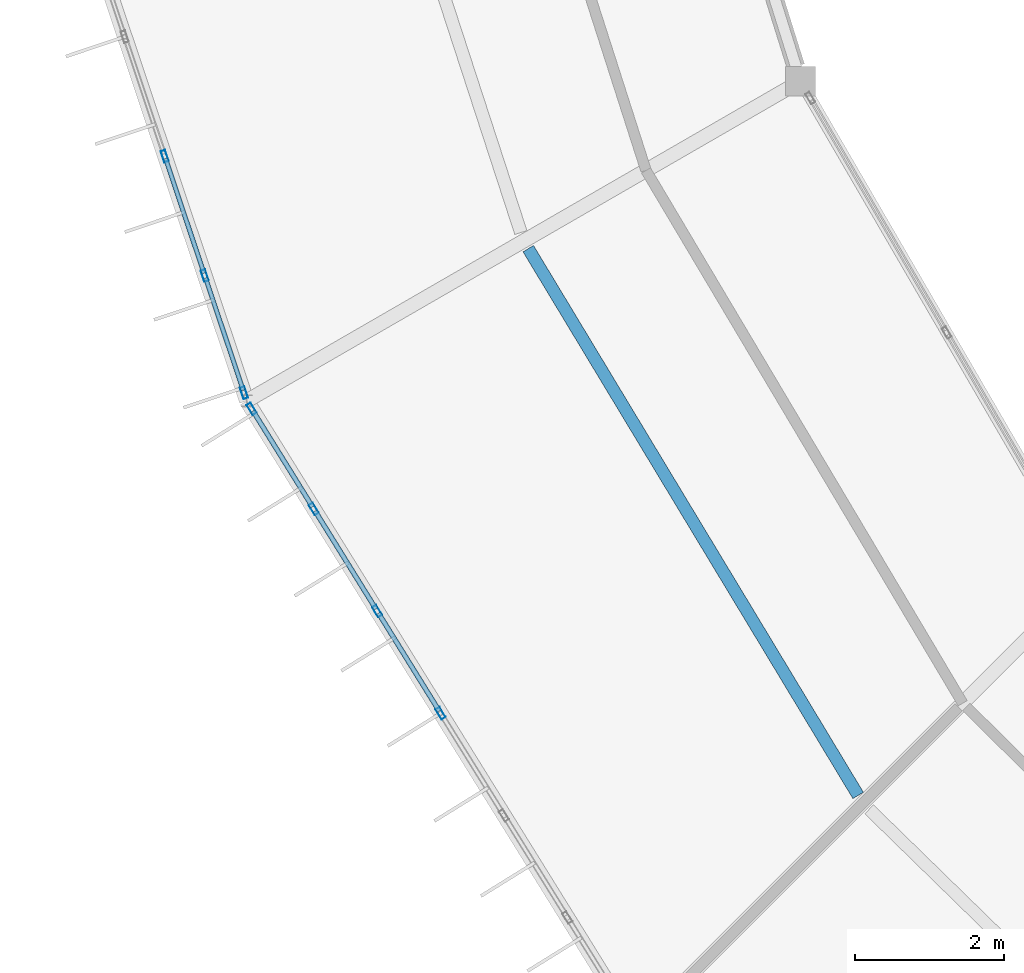
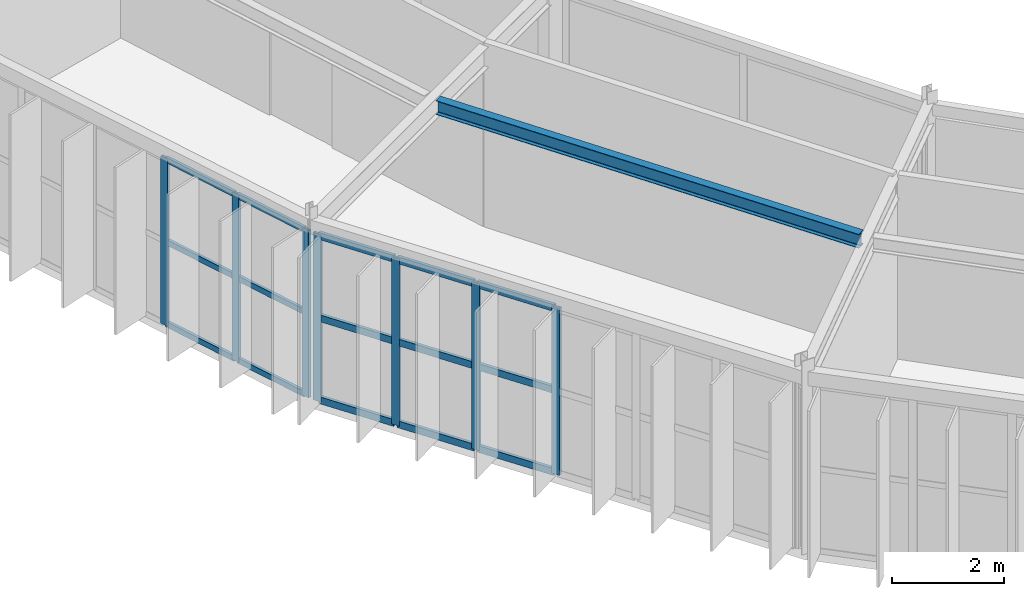
# One storey, part 24 of 130: 22 members, 1 beam, 2 elements without a shape of their own.
"""IFC4 building model written with IfcOpenShell, lengths in metres."""

from ifc_helpers import new_model, si_unit, direction, frame, origin, origin_2d, place, context, subcontext, project, spatial, hollow_rectangle, i_section, extrude, material, material_profile, profile_set, type_object, element, aggregate, save


model = new_model("IFC4")

# Units and contexts
model_context = context("Model", 3, precision=1e-05, world=origin(), true_north=direction((0.0, 1.0)))
body_context = subcontext(model_context, "Body", "Model", "MODEL_VIEW")
ifc_project = project(units=[si_unit("LENGTHUNIT", "METRE"), si_unit("AREAUNIT", "SQUARE_METRE"), si_unit("VOLUMEUNIT", "CUBIC_METRE"), si_unit("PLANEANGLEUNIT", "RADIAN"), si_unit("MASSUNIT", "GRAM", prefix="KILO")], contexts=[model_context])

# Site, building, storey
site_placement = place(None, origin())
site = spatial("IfcSite", under=ifc_project, at=site_placement, CompositionType="ELEMENT")
building_placement = place(site_placement, origin())
building = spatial("IfcBuilding", under=site, at=building_placement, Name="Karori Crest Natural Sciences Institute", CompositionType="ELEMENT")
storey_placement = place(building_placement, frame((0.0, 0.0, 17.5)))
storey = spatial("IfcBuildingStorey", under=building, at=storey_placement, Name="L04", CompositionType="ELEMENT", Elevation=17.5)

# Beam
ifc_material_1 = material(Name="Structural steel AS/NZS 3679.1 Grade 350", Category="steel")
ifc_material_profile_1 = material_profile(ifc_material_1, i_section(OverallWidth=0.1650390625, OverallDepth=0.303955078125, WebThickness=0.006103515625, FlangeThickness=0.01025390625, FilletRadius=0.010986328125, at=origin_2d()), Name="310UB40.4")
ifc_profile_set_1 = profile_set([ifc_material_profile_1], Name="Structural steel AS/NZS 3679.1 Grade 350")
beam_type = type_object("IfcBeamType", Name="BT-10", PredefinedType="BEAM", material=ifc_profile_set_1)
beam_placement = place(storey_placement, frame((41.607177734375, 31.54736328125, 3.7880859375), z_axis=(0.516601017309, -0.856226248672, 0.0), x_axis=(0.856226248672, 0.516601017309, 0.0)))
element("IfcBeam", 1, at=beam_placement, inside=storey, type_object=beam_type, Name="Beam B-0505", PredefinedType="BEAM", context=body_context, shape_type="SweptSolid", body=[
    extrude(i_section(OverallWidth=0.1650390625, OverallDepth=0.303955078125, WebThickness=0.006103515625, FlangeThickness=0.01025390625, FilletRadius=0.010986328125, at=origin_2d()), origin(), (0.0, 0.0, 1.0), 8.5888671875),
])

# Curtain wall, members
ifc_material_2 = material(Name="Anodised architectural aluminium 6063-T6", Category="aluminium")
curtain_wall_type_1 = type_object("IfcCurtainWallType", Name="CWT-04", PredefinedType="NOTDEFINED", material=ifc_material_2)
curtain_wall_1_placement = place(storey_placement, origin())
curtain_wall_1 = element("IfcCurtainWall", 2, at=curtain_wall_1_placement, inside=storey, type_object=curtain_wall_type_1, Name="Curtain wall CW-0156", PredefinedType="NOTDEFINED")
ifc_material_profile_2 = material_profile(ifc_material_2, hollow_rectangle(XDim=0.06494140625, YDim=0.159912109375, WallThickness=0.00390625, at=origin_2d()), Name="CWM160x65x4")
ifc_profile_set_2 = profile_set([ifc_material_profile_2], Name="Anodised architectural aluminium 6063-T6")
member_type_1 = type_object("IfcMemberType", Name="CWM-01", PredefinedType="MULLION", material=ifc_profile_set_2)
member_1_placement = place(storey_placement, frame((37.784423828125, 29.60986328125, 0.0), z_axis=(0.0, 0.0, 1.0), x_axis=(-0.94819805026, -0.317679803392, 0.0)))
member_1 = element("IfcMember", 3, at=member_1_placement, type_object=member_type_1, Name="CW-0156 mullion 1", PredefinedType="MULLION", context=body_context, shape_type="SweptSolid", body=[
    extrude(hollow_rectangle(XDim=0.06494140625, YDim=0.159912109375, WallThickness=0.00390625, at=origin_2d()), origin(), (0.0, 0.0, 1.0), 3.625),
])
member_2_placement = place(storey_placement, frame((37.256591796875, 31.18505859375, 0.0), z_axis=(0.0, 0.0, 1.0), x_axis=(-0.94819805026, -0.317679803392, 0.0)))
member_2 = element("IfcMember", 4, at=member_2_placement, type_object=member_type_1, Name="CW-0156 mullion 2", PredefinedType="MULLION", context=body_context, shape_type="SweptSolid", body=[
    extrude(hollow_rectangle(XDim=0.06494140625, YDim=0.159912109375, WallThickness=0.00390625, at=origin_2d()), origin(), (0.0, 0.0, 1.0), 3.625),
])
member_3_placement = place(storey_placement, frame((36.718505859375, 32.791015625, 0.0), z_axis=(0.0, 0.0, 1.0), x_axis=(-0.94819805026, -0.317679803392, 0.0)))
member_3 = element("IfcMember", 5, at=member_3_placement, type_object=member_type_1, Name="CW-0156 mullion 3", PredefinedType="MULLION", context=body_context, shape_type="SweptSolid", body=[
    extrude(hollow_rectangle(XDim=0.06494140625, YDim=0.159912109375, WallThickness=0.00390625, at=origin_2d()), origin(), (0.0, 0.0, 1.0), 3.625),
])

curtain_wall_type_2 = type_object("IfcCurtainWallType", Name="CWT-05", PredefinedType="NOTDEFINED", material=ifc_material_2)
curtain_wall_2_placement = place(storey_placement, origin())
curtain_wall_2 = element("IfcCurtainWall", 6, at=curtain_wall_2_placement, inside=storey, type_object=curtain_wall_type_2, Name="Curtain wall CW-0157", PredefinedType="NOTDEFINED")
member_4_placement = place(storey_placement, frame((40.42822265625, 25.299560546875, 0.0), z_axis=(0.0, 0.0, 1.0), x_axis=(-0.849661985715, -0.527327706489, 0.0)))
member_4 = element("IfcMember", 7, at=member_4_placement, type_object=member_type_1, Name="CW-0157 mullion 4", PredefinedType="MULLION", context=body_context, shape_type="SweptSolid", body=[
    extrude(hollow_rectangle(XDim=0.06494140625, YDim=0.159912109375, WallThickness=0.00390625, at=origin_2d()), origin(), (0.0, 0.0, 1.0), 3.625),
])
member_5_placement = place(storey_placement, frame((39.57568359375, 26.67333984375, 0.0), z_axis=(0.0, 0.0, 1.0), x_axis=(-0.849661985715, -0.527327706489, 0.0)))
member_5 = element("IfcMember", 8, at=member_5_placement, type_object=member_type_1, Name="CW-0157 mullion 5", PredefinedType="MULLION", context=body_context, shape_type="SweptSolid", body=[
    extrude(hollow_rectangle(XDim=0.06494140625, YDim=0.159912109375, WallThickness=0.00390625, at=origin_2d()), origin(), (0.0, 0.0, 1.0), 3.625),
])
member_6_placement = place(storey_placement, frame((38.722900390625, 28.046875, 0.0), z_axis=(0.0, 0.0, 1.0), x_axis=(-0.849661985715, -0.527327706489, 0.0)))
member_6 = element("IfcMember", 9, at=member_6_placement, type_object=member_type_1, Name="CW-0157 mullion 6", PredefinedType="MULLION", context=body_context, shape_type="SweptSolid", body=[
    extrude(hollow_rectangle(XDim=0.06494140625, YDim=0.159912109375, WallThickness=0.00390625, at=origin_2d()), origin(), (0.0, 0.0, 1.0), 3.625),
])
member_7_placement = place(storey_placement, frame((37.887451171875, 29.39306640625, 0.0), z_axis=(0.0, 0.0, 1.0), x_axis=(-0.849661985715, -0.527327706489, 0.0)))
member_7 = element("IfcMember", 10, at=member_7_placement, type_object=member_type_1, Name="CW-0157 mullion 7", PredefinedType="MULLION", context=body_context, shape_type="SweptSolid", body=[
    extrude(hollow_rectangle(XDim=0.06494140625, YDim=0.159912109375, WallThickness=0.00390625, at=origin_2d()), origin(), (0.0, 0.0, 1.0), 3.625),
])

# Member
ifc_material_profile_3 = material_profile(ifc_material_2, hollow_rectangle(XDim=0.06005859375, YDim=0.1201171875, WallThickness=0.00390625, at=origin_2d()), Name="CWT120x60x4")
ifc_profile_set_3 = profile_set([ifc_material_profile_3], Name="Anodised architectural aluminium 6063-T6")
member_type_2 = type_object("IfcMemberType", Name="CWT-TR1", PredefinedType="USERDEFINED", material=ifc_profile_set_3)
member_8_placement = place(storey_placement, frame((37.774169921875, 29.640625, 0.030029296875), z_axis=(-0.317787218054, 0.948162055791, 0.0), x_axis=(-0.948162055791, -0.317787218054, 0.0)))
member_8 = element("IfcMember", 11, at=member_8_placement, type_object=member_type_2, Name="CW-0156 transom 1.1", ObjectType="TRANSOM", PredefinedType="USERDEFINED", context=body_context, shape_type="SweptSolid", body=[
    extrude(hollow_rectangle(XDim=0.06005859375, YDim=0.1201171875, WallThickness=0.00390625, at=origin_2d()), origin(), (0.0, 0.0, 1.0), 1.596435546875),
])

member_9_placement = place(storey_placement, frame((37.774169921875, 29.640625, 1.8125), z_axis=(-0.317787218054, 0.948162055791, 0.0), x_axis=(-0.948162055791, -0.317787218054, 0.0)))
member_9 = element("IfcMember", 12, at=member_9_placement, type_object=member_type_2, Name="CW-0156 transom 1.2", ObjectType="TRANSOM", PredefinedType="USERDEFINED", context=body_context, shape_type="SweptSolid", body=[
    extrude(hollow_rectangle(XDim=0.06005859375, YDim=0.1201171875, WallThickness=0.00390625, at=origin_2d()), origin(), (0.0, 0.0, 1.0), 1.596435546875),
])

member_10_placement = place(storey_placement, frame((37.774169921875, 29.640625, 3.594970703125), z_axis=(-0.317787218054, 0.948162055791, 0.0), x_axis=(-0.948162055791, -0.317787218054, 0.0)))
member_10 = element("IfcMember", 13, at=member_10_placement, type_object=member_type_2, Name="CW-0156 transom 1.3", ObjectType="TRANSOM", PredefinedType="USERDEFINED", context=body_context, shape_type="SweptSolid", body=[
    extrude(hollow_rectangle(XDim=0.06005859375, YDim=0.1201171875, WallThickness=0.00390625, at=origin_2d()), origin(), (0.0, 0.0, 1.0), 1.596435546875),
])

member_11_placement = place(storey_placement, frame((37.246337890625, 31.2158203125, 0.030029296875), z_axis=(-0.317621421426, 0.948217608279, 0.0), x_axis=(-0.948217608279, -0.317621421426, 0.0)))
member_11 = element("IfcMember", 14, at=member_11_placement, type_object=member_type_2, Name="CW-0156 transom 2.1", ObjectType="TRANSOM", PredefinedType="USERDEFINED", context=body_context, shape_type="SweptSolid", body=[
    extrude(hollow_rectangle(XDim=0.06005859375, YDim=0.1201171875, WallThickness=0.00390625, at=origin_2d()), origin(), (0.0, 0.0, 1.0), 1.628662109375),
])

member_12_placement = place(storey_placement, frame((37.246337890625, 31.2158203125, 1.8125), z_axis=(-0.317621421426, 0.948217608279, 0.0), x_axis=(-0.948217608279, -0.317621421426, 0.0)))
member_12 = element("IfcMember", 15, at=member_12_placement, type_object=member_type_2, Name="CW-0156 transom 2.2", ObjectType="TRANSOM", PredefinedType="USERDEFINED", context=body_context, shape_type="SweptSolid", body=[
    extrude(hollow_rectangle(XDim=0.06005859375, YDim=0.1201171875, WallThickness=0.00390625, at=origin_2d()), origin(), (0.0, 0.0, 1.0), 1.628662109375),
])

member_13_placement = place(storey_placement, frame((37.246337890625, 31.2158203125, 3.594970703125), z_axis=(-0.317621421426, 0.948217608279, 0.0), x_axis=(-0.948217608279, -0.317621421426, 0.0)))
member_13 = element("IfcMember", 16, at=member_13_placement, type_object=member_type_2, Name="CW-0156 transom 2.3", ObjectType="TRANSOM", PredefinedType="USERDEFINED", context=body_context, shape_type="SweptSolid", body=[
    extrude(hollow_rectangle(XDim=0.06005859375, YDim=0.1201171875, WallThickness=0.00390625, at=origin_2d()), origin(), (0.0, 0.0, 1.0), 1.628662109375),
])

aggregate(curtain_wall_1, [member_1, member_2, member_3, member_8, member_9, member_10, member_11, member_12, member_13])

ifc_material_profile_4 = material_profile(ifc_material_2, hollow_rectangle(XDim=0.06494140625, YDim=0.14990234375, WallThickness=0.00390625, at=origin_2d()), Name="CWT150x65x4")
ifc_profile_set_4 = profile_set([ifc_material_profile_4], Name="Anodised architectural aluminium 6063-T6")
member_type_3 = type_object("IfcMemberType", Name="CWT-TR2", PredefinedType="USERDEFINED", material=ifc_profile_set_4)
member_14_placement = place(storey_placement, frame((40.4111328125, 25.3271484375, 0.032470703125), z_axis=(-0.5273941938, 0.849620717936, 0.0), x_axis=(-0.849620717936, -0.5273941938, 0.0)))
member_14 = element("IfcMember", 17, at=member_14_placement, type_object=member_type_3, Name="CW-0157 transom 4.1", ObjectType="TRANSOM", PredefinedType="USERDEFINED", context=body_context, shape_type="SweptSolid", body=[
    extrude(hollow_rectangle(XDim=0.06494140625, YDim=0.14990234375, WallThickness=0.00390625, at=origin_2d()), origin(), (0.0, 0.0, 1.0), 1.5517578125),
])

member_15_placement = place(storey_placement, frame((40.4111328125, 25.3271484375, 1.8125), z_axis=(-0.5273941938, 0.849620717936, 0.0), x_axis=(-0.849620717936, -0.5273941938, 0.0)))
member_15 = element("IfcMember", 18, at=member_15_placement, type_object=member_type_3, Name="CW-0157 transom 4.2", ObjectType="TRANSOM", PredefinedType="USERDEFINED", context=body_context, shape_type="SweptSolid", body=[
    extrude(hollow_rectangle(XDim=0.06494140625, YDim=0.14990234375, WallThickness=0.00390625, at=origin_2d()), origin(), (0.0, 0.0, 1.0), 1.5517578125),
])

member_16_placement = place(storey_placement, frame((40.4111328125, 25.3271484375, 3.592529296875), z_axis=(-0.5273941938, 0.849620717936, 0.0), x_axis=(-0.849620717936, -0.5273941938, 0.0)))
member_16 = element("IfcMember", 19, at=member_16_placement, type_object=member_type_3, Name="CW-0157 transom 4.3", ObjectType="TRANSOM", PredefinedType="USERDEFINED", context=body_context, shape_type="SweptSolid", body=[
    extrude(hollow_rectangle(XDim=0.06494140625, YDim=0.14990234375, WallThickness=0.00390625, at=origin_2d()), origin(), (0.0, 0.0, 1.0), 1.5517578125),
])

member_17_placement = place(storey_placement, frame((39.558349609375, 26.700927734375, 0.032470703125), z_axis=(-0.527280604983, 0.849691216624, 0.0), x_axis=(-0.849691216624, -0.527280604983, 0.0)))
member_17 = element("IfcMember", 20, at=member_17_placement, type_object=member_type_3, Name="CW-0157 transom 5.1", ObjectType="TRANSOM", PredefinedType="USERDEFINED", context=body_context, shape_type="SweptSolid", body=[
    extrude(hollow_rectangle(XDim=0.06494140625, YDim=0.14990234375, WallThickness=0.00390625, at=origin_2d()), origin(), (0.0, 0.0, 1.0), 1.551513671875),
])

member_18_placement = place(storey_placement, frame((39.558349609375, 26.700927734375, 1.8125), z_axis=(-0.527280604983, 0.849691216624, 0.0), x_axis=(-0.849691216624, -0.527280604983, 0.0)))
member_18 = element("IfcMember", 21, at=member_18_placement, type_object=member_type_3, Name="CW-0157 transom 5.2", ObjectType="TRANSOM", PredefinedType="USERDEFINED", context=body_context, shape_type="SweptSolid", body=[
    extrude(hollow_rectangle(XDim=0.06494140625, YDim=0.14990234375, WallThickness=0.00390625, at=origin_2d()), origin(), (0.0, 0.0, 1.0), 1.551513671875),
])

member_19_placement = place(storey_placement, frame((39.558349609375, 26.700927734375, 3.592529296875), z_axis=(-0.527280604983, 0.849691216624, 0.0), x_axis=(-0.849691216624, -0.527280604983, 0.0)))
member_19 = element("IfcMember", 22, at=member_19_placement, type_object=member_type_3, Name="CW-0157 transom 5.3", ObjectType="TRANSOM", PredefinedType="USERDEFINED", context=body_context, shape_type="SweptSolid", body=[
    extrude(hollow_rectangle(XDim=0.06494140625, YDim=0.14990234375, WallThickness=0.00390625, at=origin_2d()), origin(), (0.0, 0.0, 1.0), 1.551513671875),
])

member_20_placement = place(storey_placement, frame((38.705810546875, 28.074462890625, 0.032470703125), z_axis=(-0.527222854593, 0.849727051231, 0.0), x_axis=(-0.849727051231, -0.527222854593, 0.0)))
member_20 = element("IfcMember", 23, at=member_20_placement, type_object=member_type_3, Name="CW-0157 transom 6.1", ObjectType="TRANSOM", PredefinedType="USERDEFINED", context=body_context, shape_type="SweptSolid", body=[
    extrude(hollow_rectangle(XDim=0.06494140625, YDim=0.14990234375, WallThickness=0.00390625, at=origin_2d()), origin(), (0.0, 0.0, 1.0), 1.519287109375),
])

member_21_placement = place(storey_placement, frame((38.705810546875, 28.074462890625, 1.8125), z_axis=(-0.527222854593, 0.849727051231, 0.0), x_axis=(-0.849727051231, -0.527222854593, 0.0)))
member_21 = element("IfcMember", 24, at=member_21_placement, type_object=member_type_3, Name="CW-0157 transom 6.2", ObjectType="TRANSOM", PredefinedType="USERDEFINED", context=body_context, shape_type="SweptSolid", body=[
    extrude(hollow_rectangle(XDim=0.06494140625, YDim=0.14990234375, WallThickness=0.00390625, at=origin_2d()), origin(), (0.0, 0.0, 1.0), 1.519287109375),
])

member_22_placement = place(storey_placement, frame((38.705810546875, 28.074462890625, 3.592529296875), z_axis=(-0.527222854593, 0.849727051231, 0.0), x_axis=(-0.849727051231, -0.527222854593, 0.0)))
member_22 = element("IfcMember", 25, at=member_22_placement, type_object=member_type_3, Name="CW-0157 transom 6.3", ObjectType="TRANSOM", PredefinedType="USERDEFINED", context=body_context, shape_type="SweptSolid", body=[
    extrude(hollow_rectangle(XDim=0.06494140625, YDim=0.14990234375, WallThickness=0.00390625, at=origin_2d()), origin(), (0.0, 0.0, 1.0), 1.519287109375),
])

aggregate(curtain_wall_2, [member_4, member_5, member_6, member_7, member_14, member_15, member_16, member_17, member_18, member_19, member_20, member_21, member_22])

save(model, "model.ifc")
